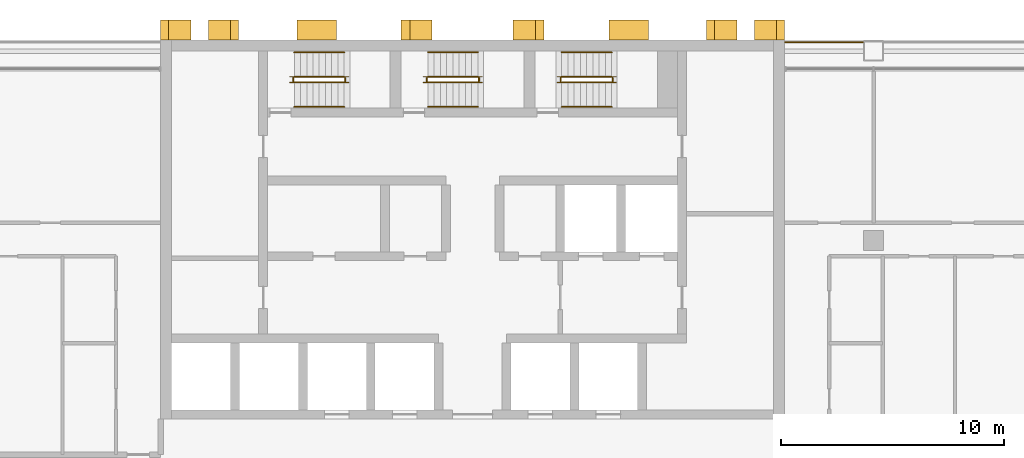
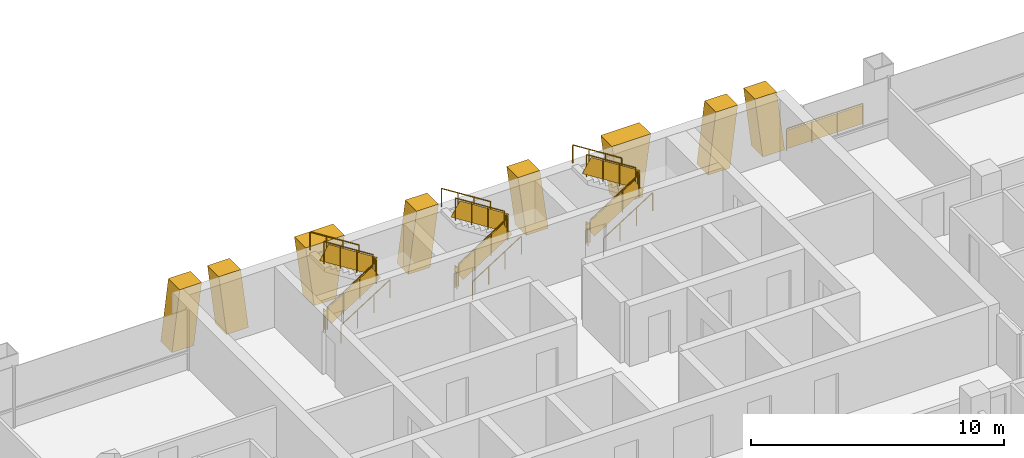
# One storey, part 16 of 17: 19 railings, 8 shading devices.
"""IFC4 building model written with IfcOpenShell, lengths in metres."""

from ifc_helpers import new_model, si_unit, direction, frame, origin, origin_2d, place, context, subcontext, project, spatial, polyline, rectangle, circle, outline, extrude, material, layer, layer_set, type_object, element, save


model = new_model("IFC4")

# Units and contexts
model_context = context("Model", 3, precision=1e-05, world=origin(), true_north=direction((0.0, 1.0)))
body_context = subcontext(model_context, "Body", "Model", "MODEL_VIEW")
ifc_project = project(units=[si_unit("LENGTHUNIT", "METRE"), si_unit("AREAUNIT", "SQUARE_METRE"), si_unit("VOLUMEUNIT", "CUBIC_METRE"), si_unit("PLANEANGLEUNIT", "RADIAN"), si_unit("MASSUNIT", "GRAM", prefix="KILO")], contexts=[model_context])

# Site, building, storey
site_placement = place(None, origin())
site = spatial("IfcSite", under=ifc_project, at=site_placement, CompositionType="ELEMENT")
building_placement = place(site_placement, origin())
building = spatial("IfcBuilding", under=site, at=building_placement, Name="Vidyagriha Tower", CompositionType="ELEMENT")
storey_placement = place(building_placement, frame((0.0, 0.0, 77.5)))
storey = spatial("IfcBuildingStorey", under=building, at=storey_placement, Name="L19", CompositionType="ELEMENT", Elevation=77.5)

# Shading devices
ifc_material_1 = material(Name="Precast concrete C40/50 with brick facing", Category="concrete")
ifc_layer_1 = layer(ifc_material_1, 1.0)
ifc_layer_set_1 = layer_set([ifc_layer_1], Name="Precast concrete C40/50 with brick facing")
shading_device_type_1 = type_object("IfcShadingDeviceType", Name="Brick-faced rear rib arm leaning 8 degrees", PredefinedType="USERDEFINED", material=ifc_layer_set_1)
shading_device_1_placement = place(storey_placement, frame((14.0, 20.449951171875, 0.0), z_axis=(0.0, 0.0, 1.0), x_axis=(-1.0, 0.0, 0.0)))
element("IfcShadingDevice", 1, at=shading_device_1_placement, inside=storey, type_object=shading_device_type_1, Name="Rear rib arm L19 R08.1a", ObjectType="BLADE FIN", PredefinedType="USERDEFINED", context=body_context, shape_type="SweptSolid", body=[
    extrude(outline(polyline([(0.0, 0.0), (1.0, 0.0), (1.357177734375, 2.919921875), (0.357177734375, 2.919921875), (0.0, 0.0)])), frame((0.0, 0.449951171875, 0.0), z_axis=(0.0, -1.0, 0.0), x_axis=(1.0, 0.0, 0.0)), (0.0, 0.0, 1.0), 0.89990234375),
])
shading_device_2_placement = place(storey_placement, frame((11.857177734375, 20.449951171875, 0.0), z_axis=(0.0, 0.0, 1.0), x_axis=(-1.0, 0.0, 0.0)))
element("IfcShadingDevice", 2, at=shading_device_2_placement, inside=storey, type_object=shading_device_type_1, Name="Rear rib arm L19 R08.1b", ObjectType="BLADE FIN", PredefinedType="USERDEFINED", context=body_context, shape_type="SweptSolid", body=[
    extrude(outline(polyline([(0.357177734375, 0.0), (1.357177734375, 0.0), (1.0, 2.919921875), (0.0, 2.919921875), (0.357177734375, 0.0)])), frame((0.0, 0.449951171875, 0.0), z_axis=(0.0, -1.0, 0.0), x_axis=(1.0, 0.0, 0.0)), (0.0, 0.0, 1.0), 0.89990234375),
])
shading_device_3_placement = place(storey_placement, frame((3.199951171875, 20.449951171875, 0.0), z_axis=(0.0, 0.0, 1.0), x_axis=(-1.0, 0.0, 0.0)))
element("IfcShadingDevice", 3, at=shading_device_3_placement, inside=storey, type_object=shading_device_type_1, Name="Rear rib arm L19 R08.3a", ObjectType="BLADE FIN", PredefinedType="USERDEFINED", context=body_context, shape_type="SweptSolid", body=[
    extrude(outline(polyline([(0.0, 0.0), (1.0, 0.0), (1.3857421875, 2.919921875), (0.3857421875, 2.919921875), (0.0, 0.0)])), frame((0.0, 0.449951171875, 0.0), z_axis=(0.0, -1.0, 0.0), x_axis=(1.0, 0.0, 0.0)), (0.0, 0.0, 1.0), 0.89990234375),
])
shading_device_4_placement = place(storey_placement, frame((-1.814208984375, 20.449951171875, 0.0), z_axis=(0.0, 0.0, 1.0), x_axis=(-1.0, 0.0, 0.0)))
element("IfcShadingDevice", 4, at=shading_device_4_placement, inside=storey, type_object=shading_device_type_1, Name="Rear rib arm L19 R08.3b", ObjectType="BLADE FIN", PredefinedType="USERDEFINED", context=body_context, shape_type="SweptSolid", body=[
    extrude(outline(polyline([(0.3857421875, 0.0), (1.3857421875, 0.0), (1.0, 2.919921875), (0.0, 2.919921875), (0.3857421875, 0.0)])), frame((0.0, 0.449951171875, 0.0), z_axis=(0.0, -1.0, 0.0), x_axis=(1.0, 0.0, 0.0)), (0.0, 0.0, 1.0), 0.89990234375),
])
shading_device_5_placement = place(storey_placement, frame((-10.5, 20.449951171875, 0.0), z_axis=(0.0, 0.0, 1.0), x_axis=(-1.0, 0.0, 0.0)))
element("IfcShadingDevice", 5, at=shading_device_5_placement, inside=storey, type_object=shading_device_type_1, Name="Rear rib arm L19 R08.5a", ObjectType="BLADE FIN", PredefinedType="USERDEFINED", context=body_context, shape_type="SweptSolid", body=[
    extrude(outline(polyline([(0.0, 0.0), (1.0, 0.0), (1.357177734375, 2.919921875), (0.357177734375, 2.919921875), (0.0, 0.0)])), frame((0.0, 0.449951171875, 0.0), z_axis=(0.0, -1.0, 0.0), x_axis=(1.0, 0.0, 0.0)), (0.0, 0.0, 1.0), 0.89990234375),
])
shading_device_6_placement = place(storey_placement, frame((-12.642822265625, 20.449951171875, 0.0), z_axis=(0.0, 0.0, 1.0), x_axis=(-1.0, 0.0, 0.0)))
element("IfcShadingDevice", 6, at=shading_device_6_placement, inside=storey, type_object=shading_device_type_1, Name="Rear rib arm L19 R08.5b", ObjectType="BLADE FIN", PredefinedType="USERDEFINED", context=body_context, shape_type="SweptSolid", body=[
    extrude(outline(polyline([(0.357177734375, 0.0), (1.357177734375, 0.0), (1.0, 2.919921875), (0.0, 2.919921875), (0.357177734375, 0.0)])), frame((0.0, 0.449951171875, 0.0), z_axis=(0.0, -1.0, 0.0), x_axis=(1.0, 0.0, 0.0)), (0.0, 0.0, 1.0), 0.89990234375),
])
ifc_material_2 = material(Name="Precast concrete C40/50 with brick facing", Category="concrete")
ifc_layer_2 = layer(ifc_material_2, 1.0)
ifc_layer_set_2 = layer_set([ifc_layer_2], Name="Precast concrete C40/50 with brick facing")
shading_device_type_2 = type_object("IfcShadingDeviceType", Name="Brick-faced rear rib forking 8 degrees", PredefinedType="USERDEFINED", material=ifc_layer_set_2)
for number, where, z_axis, x_axis, name in (
    (7, (7.8857421875, 20.449951171875, 0.0), (0.0, 0.0, 1.0), (-1.0, 0.0, 0.0), "Rear rib fork L19 R08.2a"),
    (8, (-6.1142578125, 20.449951171875, 0.0), (0.0, 0.0, 1.0), (-1.0, 0.0, 0.0), "Rear rib fork L19 R08.4a"),
):
    element("IfcShadingDevice", number, at=place(storey_placement, frame(where, z_axis=z_axis, x_axis=x_axis)), inside=storey, type_object=shading_device_type_2, Name=name, ObjectType="BLADE FIN", PredefinedType="USERDEFINED", context=body_context, shape_type="SweptSolid", body=[
        extrude(outline(polyline([(0.3857421875, 0.0), (1.3857421875, 0.0), (1.771484375, 2.919921875), (0.0, 2.919921875), (0.3857421875, 0.0)])), frame((0.0, 0.449951171875, 0.0), z_axis=(0.0, -1.0, 0.0), x_axis=(1.0, 0.0, 0.0)), (0.0, 0.0, 1.0), 0.89990234375),
    ])

# Railings
ifc_material_3 = material(Name="Steel ASTM A500 Grade C black painted", Category="steel")
railing_type_1 = type_object("IfcRailingType", Name="Gallery guard 1100", PredefinedType="GUARDRAIL", material=ifc_material_3)
railing_1_placement = place(storey_placement, frame((14.030029296875, 19.89990234375, 0.0)))
element("IfcRailing", 9, at=railing_1_placement, inside=storey, type_object=railing_type_1, Name="Gallery guard L19 9", PredefinedType="GUARDRAIL", context=body_context, shape_type="SweptSolid", body=[
    extrude(circle(Radius=0.02490234375, at=origin_2d()), frame((0.0, 0.0, 1.0751953125), z_axis=(1.0, 0.0, 0.0), x_axis=(0.0, 1.0, 0.0)), (0.0, 0.0, 1.0), 3.489990234375),
    extrude(circle(Radius=0.02001953125, at=origin_2d()), origin(), (0.0, 0.0, 1.0), 1.050048828125),
    extrude(circle(Radius=0.02001953125, at=origin_2d()), frame((1.163330078125, 0.0, 0.0)), (0.0, 0.0, 1.0), 1.050048828125),
    extrude(circle(Radius=0.02001953125, at=origin_2d()), frame((2.32666015625, 0.0, 0.0)), (0.0, 0.0, 1.0), 1.050048828125),
    extrude(circle(Radius=0.02001953125, at=origin_2d()), frame((3.489990234375, 0.0, 0.0)), (0.0, 0.0, 1.0), 1.050048828125),
    extrude(rectangle(XDim=0.010009765625, YDim=0.900146484375, at=origin_2d()), frame((0.0, 0.0, 0.550048828125), z_axis=(1.0, 0.0, 0.0), x_axis=(0.0, 1.0, 0.0)), (0.0, 0.0, 1.0), 3.489990234375),
])
ifc_material_4 = material(Name="Steel ASTM A500 Grade C", Category="steel")
railing_type_2 = type_object("IfcRailingType", Name="Stair guard 1100 mm, steel balustrade", PredefinedType="GUARDRAIL", material=ifc_material_4)
railing_2_placement = place(storey_placement, frame((-8.0, 18.10009765625, 0.177734375)))
element("IfcRailing", 10, at=railing_2_placement, inside=storey, type_object=railing_type_2, Name="L19 ST1 stair guard 1", PredefinedType="GUARDRAIL", context=body_context, shape_type="SweptSolid", body=[
    extrude(circle(Radius=0.02392578125, at=origin_2d()), frame((0.0, 0.0, 1.076171875), z_axis=(0.84418770128, 0.0, 0.536047689118), x_axis=(0.0, 1.0, 0.0)), (0.0, 0.0, 1.0), 2.6533203125),
    extrude(circle(Radius=0.02099609375, at=origin_2d()), origin(), (0.0, 0.0, 1.0), 1.052001953125),
    extrude(circle(Radius=0.02099609375, at=origin_2d()), frame((0.74658203125, 0.0, 0.47412109375)), (0.0, 0.0, 1.0), 1.052001953125),
    extrude(circle(Radius=0.02099609375, at=origin_2d()), frame((1.493408203125, 0.0, 0.9482421875)), (0.0, 0.0, 1.0), 1.052001953125),
    extrude(circle(Radius=0.02099609375, at=origin_2d()), frame((2.239990234375, 0.0, 1.42236328125)), (0.0, 0.0, 1.0), 1.052001953125),
    extrude(rectangle(XDim=0.010009765625, YDim=0.761474609375, at=origin_2d()), frame((0.0, 0.0, 0.551025390625), z_axis=(0.84418770128, 0.0, 0.536047689118), x_axis=(0.0, 1.0, 0.0)), (0.0, 0.0, 1.0), 2.6533203125),
])
railing_3_placement = place(storey_placement, frame((-5.7099609375, 18.14990234375, 1.60009765625)))
element("IfcRailing", 11, at=railing_3_placement, inside=storey, type_object=railing_type_2, Name="L19 ST1 stair guard 2", PredefinedType="GUARDRAIL", context=body_context, shape_type="SweptSolid", body=[
    extrude(circle(Radius=0.02392578125, at=origin_2d()), frame((0.0, 0.0, 1.076171875), z_axis=(0.0, 1.0, 0.0), x_axis=(-1.0, 0.0, 0.0)), (0.0, 0.0, 1.0), 0.150146484375),
    extrude(circle(Radius=0.02099609375, at=origin_2d()), origin(), (0.0, 0.0, 1.0), 1.052001953125),
    extrude(circle(Radius=0.02099609375, at=origin_2d()), frame((0.0, 0.150146484375, 0.0)), (0.0, 0.0, 1.0), 1.052001953125),
    extrude(rectangle(XDim=0.010009765625, YDim=0.902099609375, at=origin_2d()), frame((0.0, 0.0, 0.551025390625), z_axis=(0.0, 1.0, 0.0), x_axis=(-1.0, 0.0, 0.0)), (0.0, 0.0, 1.0), 0.150146484375),
])
railing_4_placement = place(storey_placement, frame((-5.760009765625, 18.35009765625, 1.77783203125)))
element("IfcRailing", 12, at=railing_4_placement, inside=storey, type_object=railing_type_2, Name="L19 ST1 stair guard 3", PredefinedType="GUARDRAIL", context=body_context, shape_type="SweptSolid", body=[
    extrude(circle(Radius=0.02392578125, at=origin_2d()), frame((0.0, 0.0, 1.076171875), z_axis=(-0.8442293374, 0.0, 0.53598211339), x_axis=(0.0, -1.0, 0.0)), (0.0, 0.0, 1.0), 2.6533203125),
    extrude(circle(Radius=0.02099609375, at=origin_2d()), origin(), (0.0, 0.0, 1.0), 1.052001953125),
    extrude(circle(Radius=0.02099609375, at=origin_2d()), frame((-0.74658203125, 0.0, 0.47412109375)), (0.0, 0.0, 1.0), 1.052001953125),
    extrude(circle(Radius=0.02099609375, at=origin_2d()), frame((-1.493408203125, 0.0, 0.947998046875)), (0.0, 0.0, 1.0), 1.052001953125),
    extrude(circle(Radius=0.02099609375, at=origin_2d()), frame((-2.239990234375, 0.0, 1.422119140625)), (0.0, 0.0, 1.0), 1.052001953125),
    extrude(rectangle(XDim=0.010009765625, YDim=0.761474609375, at=origin_2d()), frame((0.0, 0.0, 0.551025390625), z_axis=(-0.8442293374, 0.0, 0.53598211339), x_axis=(0.0, -1.0, 0.0)), (0.0, 0.0, 1.0), 2.6533203125),
])
railing_5_placement = place(storey_placement, frame((-8.050048828125, 18.14990234375, 0.0)))
element("IfcRailing", 13, at=railing_5_placement, inside=storey, type_object=railing_type_2, Name="L19 ST1 stair guard 4", PredefinedType="GUARDRAIL", context=body_context, shape_type="SweptSolid", body=[
    extrude(circle(Radius=0.02392578125, at=origin_2d()), frame((0.0, 0.0, 1.076171875), z_axis=(0.0, 1.0, 0.0), x_axis=(-1.0, 0.0, 0.0)), (0.0, 0.0, 1.0), 0.150146484375),
    extrude(circle(Radius=0.02099609375, at=origin_2d()), origin(), (0.0, 0.0, 1.0), 1.052001953125),
    extrude(circle(Radius=0.02099609375, at=origin_2d()), frame((0.0, 0.150146484375, 0.0)), (0.0, 0.0, 1.0), 1.052001953125),
    extrude(rectangle(XDim=0.010009765625, YDim=0.902099609375, at=origin_2d()), frame((0.0, 0.0, 0.551025390625), z_axis=(0.0, 1.0, 0.0), x_axis=(-1.0, 0.0, 0.0)), (0.0, 0.0, 1.0), 0.150146484375),
])
railing_6_placement = place(storey_placement, frame((-2.0, 18.10009765625, 0.177734375)))
element("IfcRailing", 14, at=railing_6_placement, inside=storey, type_object=railing_type_2, Name="L19 ST2 stair guard 1", PredefinedType="GUARDRAIL", context=body_context, shape_type="SweptSolid", body=[
    extrude(circle(Radius=0.02392578125, at=origin_2d()), frame((0.0, 0.0, 1.076171875), z_axis=(0.84418770128, 0.0, 0.536047689118), x_axis=(0.0, 1.0, 0.0)), (0.0, 0.0, 1.0), 2.6533203125),
    extrude(circle(Radius=0.02099609375, at=origin_2d()), origin(), (0.0, 0.0, 1.0), 1.052001953125),
    extrude(circle(Radius=0.02099609375, at=origin_2d()), frame((0.74658203125, 0.0, 0.47412109375)), (0.0, 0.0, 1.0), 1.052001953125),
    extrude(circle(Radius=0.02099609375, at=origin_2d()), frame((1.493408203125, 0.0, 0.9482421875)), (0.0, 0.0, 1.0), 1.052001953125),
    extrude(circle(Radius=0.02099609375, at=origin_2d()), frame((2.239990234375, 0.0, 1.42236328125)), (0.0, 0.0, 1.0), 1.052001953125),
    extrude(rectangle(XDim=0.010009765625, YDim=0.761474609375, at=origin_2d()), frame((0.0, 0.0, 0.551025390625), z_axis=(0.84418770128, 0.0, 0.536047689118), x_axis=(0.0, 1.0, 0.0)), (0.0, 0.0, 1.0), 2.6533203125),
])
railing_7_placement = place(storey_placement, frame((0.2900390625, 18.14990234375, 1.60009765625)))
element("IfcRailing", 15, at=railing_7_placement, inside=storey, type_object=railing_type_2, Name="L19 ST2 stair guard 2", PredefinedType="GUARDRAIL", context=body_context, shape_type="SweptSolid", body=[
    extrude(circle(Radius=0.02392578125, at=origin_2d()), frame((0.0, 0.0, 1.076171875), z_axis=(0.0, 1.0, 0.0), x_axis=(-1.0, 0.0, 0.0)), (0.0, 0.0, 1.0), 0.150146484375),
    extrude(circle(Radius=0.02099609375, at=origin_2d()), origin(), (0.0, 0.0, 1.0), 1.052001953125),
    extrude(circle(Radius=0.02099609375, at=origin_2d()), frame((0.0, 0.150146484375, 0.0)), (0.0, 0.0, 1.0), 1.052001953125),
    extrude(rectangle(XDim=0.010009765625, YDim=0.902099609375, at=origin_2d()), frame((0.0, 0.0, 0.551025390625), z_axis=(0.0, 1.0, 0.0), x_axis=(-1.0, 0.0, 0.0)), (0.0, 0.0, 1.0), 0.150146484375),
])
railing_8_placement = place(storey_placement, frame((0.239990234375, 18.35009765625, 1.77783203125)))
element("IfcRailing", 16, at=railing_8_placement, inside=storey, type_object=railing_type_2, Name="L19 ST2 stair guard 3", PredefinedType="GUARDRAIL", context=body_context, shape_type="SweptSolid", body=[
    extrude(circle(Radius=0.02392578125, at=origin_2d()), frame((0.0, 0.0, 1.076171875), z_axis=(-0.8442293374, 0.0, 0.53598211339), x_axis=(0.0, -1.0, 0.0)), (0.0, 0.0, 1.0), 2.6533203125),
    extrude(circle(Radius=0.02099609375, at=origin_2d()), origin(), (0.0, 0.0, 1.0), 1.052001953125),
    extrude(circle(Radius=0.02099609375, at=origin_2d()), frame((-0.74658203125, 0.0, 0.47412109375)), (0.0, 0.0, 1.0), 1.052001953125),
    extrude(circle(Radius=0.02099609375, at=origin_2d()), frame((-1.493408203125, 0.0, 0.947998046875)), (0.0, 0.0, 1.0), 1.052001953125),
    extrude(circle(Radius=0.02099609375, at=origin_2d()), frame((-2.239990234375, 0.0, 1.422119140625)), (0.0, 0.0, 1.0), 1.052001953125),
    extrude(rectangle(XDim=0.010009765625, YDim=0.761474609375, at=origin_2d()), frame((0.0, 0.0, 0.551025390625), z_axis=(-0.8442293374, 0.0, 0.53598211339), x_axis=(0.0, -1.0, 0.0)), (0.0, 0.0, 1.0), 2.6533203125),
])
railing_9_placement = place(storey_placement, frame((-2.050048828125, 18.14990234375, 0.0)))
element("IfcRailing", 17, at=railing_9_placement, inside=storey, type_object=railing_type_2, Name="L19 ST2 stair guard 4", PredefinedType="GUARDRAIL", context=body_context, shape_type="SweptSolid", body=[
    extrude(circle(Radius=0.02392578125, at=origin_2d()), frame((0.0, 0.0, 1.076171875), z_axis=(0.0, 1.0, 0.0), x_axis=(-1.0, 0.0, 0.0)), (0.0, 0.0, 1.0), 0.150146484375),
    extrude(circle(Radius=0.02099609375, at=origin_2d()), origin(), (0.0, 0.0, 1.0), 1.052001953125),
    extrude(circle(Radius=0.02099609375, at=origin_2d()), frame((0.0, 0.150146484375, 0.0)), (0.0, 0.0, 1.0), 1.052001953125),
    extrude(rectangle(XDim=0.010009765625, YDim=0.902099609375, at=origin_2d()), frame((0.0, 0.0, 0.551025390625), z_axis=(0.0, 1.0, 0.0), x_axis=(-1.0, 0.0, 0.0)), (0.0, 0.0, 1.0), 0.150146484375),
])
railing_10_placement = place(storey_placement, frame((4.0, 18.10009765625, 0.177734375)))
element("IfcRailing", 18, at=railing_10_placement, inside=storey, type_object=railing_type_2, Name="L19 ST3 stair guard 1", PredefinedType="GUARDRAIL", context=body_context, shape_type="SweptSolid", body=[
    extrude(circle(Radius=0.02392578125, at=origin_2d()), frame((0.0, 0.0, 1.076171875), z_axis=(0.84418770128, 0.0, 0.536047689118), x_axis=(0.0, 1.0, 0.0)), (0.0, 0.0, 1.0), 2.6533203125),
    extrude(circle(Radius=0.02099609375, at=origin_2d()), origin(), (0.0, 0.0, 1.0), 1.052001953125),
    extrude(circle(Radius=0.02099609375, at=origin_2d()), frame((0.74658203125, 0.0, 0.47412109375)), (0.0, 0.0, 1.0), 1.052001953125),
    extrude(circle(Radius=0.02099609375, at=origin_2d()), frame((1.493408203125, 0.0, 0.9482421875)), (0.0, 0.0, 1.0), 1.052001953125),
    extrude(circle(Radius=0.02099609375, at=origin_2d()), frame((2.239990234375, 0.0, 1.42236328125)), (0.0, 0.0, 1.0), 1.052001953125),
    extrude(rectangle(XDim=0.010009765625, YDim=0.761474609375, at=origin_2d()), frame((0.0, 0.0, 0.551025390625), z_axis=(0.84418770128, 0.0, 0.536047689118), x_axis=(0.0, 1.0, 0.0)), (0.0, 0.0, 1.0), 2.6533203125),
])
railing_11_placement = place(storey_placement, frame((6.2900390625, 18.14990234375, 1.60009765625)))
element("IfcRailing", 19, at=railing_11_placement, inside=storey, type_object=railing_type_2, Name="L19 ST3 stair guard 2", PredefinedType="GUARDRAIL", context=body_context, shape_type="SweptSolid", body=[
    extrude(circle(Radius=0.02392578125, at=origin_2d()), frame((0.0, 0.0, 1.076171875), z_axis=(0.0, 1.0, 0.0), x_axis=(-1.0, 0.0, 0.0)), (0.0, 0.0, 1.0), 0.150146484375),
    extrude(circle(Radius=0.02099609375, at=origin_2d()), origin(), (0.0, 0.0, 1.0), 1.052001953125),
    extrude(circle(Radius=0.02099609375, at=origin_2d()), frame((0.0, 0.150146484375, 0.0)), (0.0, 0.0, 1.0), 1.052001953125),
    extrude(rectangle(XDim=0.010009765625, YDim=0.902099609375, at=origin_2d()), frame((0.0, 0.0, 0.551025390625), z_axis=(0.0, 1.0, 0.0), x_axis=(-1.0, 0.0, 0.0)), (0.0, 0.0, 1.0), 0.150146484375),
])
railing_12_placement = place(storey_placement, frame((6.239990234375, 18.35009765625, 1.77783203125)))
element("IfcRailing", 20, at=railing_12_placement, inside=storey, type_object=railing_type_2, Name="L19 ST3 stair guard 3", PredefinedType="GUARDRAIL", context=body_context, shape_type="SweptSolid", body=[
    extrude(circle(Radius=0.02392578125, at=origin_2d()), frame((0.0, 0.0, 1.076171875), z_axis=(-0.8442293374, 0.0, 0.53598211339), x_axis=(0.0, -1.0, 0.0)), (0.0, 0.0, 1.0), 2.6533203125),
    extrude(circle(Radius=0.02099609375, at=origin_2d()), origin(), (0.0, 0.0, 1.0), 1.052001953125),
    extrude(circle(Radius=0.02099609375, at=origin_2d()), frame((-0.74658203125, 0.0, 0.47412109375)), (0.0, 0.0, 1.0), 1.052001953125),
    extrude(circle(Radius=0.02099609375, at=origin_2d()), frame((-1.493408203125, 0.0, 0.947998046875)), (0.0, 0.0, 1.0), 1.052001953125),
    extrude(circle(Radius=0.02099609375, at=origin_2d()), frame((-2.239990234375, 0.0, 1.422119140625)), (0.0, 0.0, 1.0), 1.052001953125),
    extrude(rectangle(XDim=0.010009765625, YDim=0.761474609375, at=origin_2d()), frame((0.0, 0.0, 0.551025390625), z_axis=(-0.8442293374, 0.0, 0.53598211339), x_axis=(0.0, -1.0, 0.0)), (0.0, 0.0, 1.0), 2.6533203125),
])
railing_13_placement = place(storey_placement, frame((3.949951171875, 18.14990234375, 0.0)))
element("IfcRailing", 21, at=railing_13_placement, inside=storey, type_object=railing_type_2, Name="L19 ST3 stair guard 4", PredefinedType="GUARDRAIL", context=body_context, shape_type="SweptSolid", body=[
    extrude(circle(Radius=0.02392578125, at=origin_2d()), frame((0.0, 0.0, 1.076171875), z_axis=(0.0, 1.0, 0.0), x_axis=(-1.0, 0.0, 0.0)), (0.0, 0.0, 1.0), 0.150146484375),
    extrude(circle(Radius=0.02099609375, at=origin_2d()), origin(), (0.0, 0.0, 1.0), 1.052001953125),
    extrude(circle(Radius=0.02099609375, at=origin_2d()), frame((0.0, 0.150146484375, 0.0)), (0.0, 0.0, 1.0), 1.052001953125),
    extrude(rectangle(XDim=0.010009765625, YDim=0.902099609375, at=origin_2d()), frame((0.0, 0.0, 0.551025390625), z_axis=(0.0, 1.0, 0.0), x_axis=(-1.0, 0.0, 0.0)), (0.0, 0.0, 1.0), 0.150146484375),
])
ifc_material_5 = material(Name="Steel ASTM A500 Grade C", Category="steel")
railing_type_3 = type_object("IfcRailingType", Name="Stair handrail 900 mm, steel", PredefinedType="HANDRAIL", material=ifc_material_5)
railing_14_placement = place(storey_placement, frame((-8.0, 17.0, 0.177734375)))
element("IfcRailing", 22, at=railing_14_placement, inside=storey, type_object=railing_type_3, Name="L19 ST1 stair handrail 1", PredefinedType="HANDRAIL", context=body_context, shape_type="SweptSolid", body=[
    extrude(circle(Radius=0.02392578125, at=origin_2d()), frame((0.0, 0.0, 0.8759765625), z_axis=(0.84418770128, 0.0, 0.536047689118), x_axis=(0.0, 1.0, 0.0)), (0.0, 0.0, 1.0), 2.6533203125),
    extrude(circle(Radius=0.02099609375, at=origin_2d()), origin(), (0.0, 0.0, 1.0), 0.851806640625),
    extrude(circle(Radius=0.02099609375, at=origin_2d()), frame((0.74658203125, 0.0, 0.47412109375)), (0.0, 0.0, 1.0), 0.851806640625),
    extrude(circle(Radius=0.02099609375, at=origin_2d()), frame((1.493408203125, 0.0, 0.9482421875)), (0.0, 0.0, 1.0), 0.851806640625),
    extrude(circle(Radius=0.02099609375, at=origin_2d()), frame((2.239990234375, 0.0, 1.42236328125)), (0.0, 0.0, 1.0), 0.851806640625),
])
railing_15_placement = place(storey_placement, frame((-5.760009765625, 19.449951171875, 1.77783203125)))
element("IfcRailing", 23, at=railing_15_placement, inside=storey, type_object=railing_type_3, Name="L19 ST1 stair handrail 2", PredefinedType="HANDRAIL", context=body_context, shape_type="SweptSolid", body=[
    extrude(circle(Radius=0.02392578125, at=origin_2d()), frame((0.0, 0.0, 0.8759765625), z_axis=(-0.8442293374, 0.0, 0.53598211339), x_axis=(0.0, -1.0, 0.0)), (0.0, 0.0, 1.0), 2.6533203125),
    extrude(circle(Radius=0.02099609375, at=origin_2d()), origin(), (0.0, 0.0, 1.0), 0.851806640625),
    extrude(circle(Radius=0.02099609375, at=origin_2d()), frame((-0.74658203125, 0.0, 0.47412109375)), (0.0, 0.0, 1.0), 0.851806640625),
    extrude(circle(Radius=0.02099609375, at=origin_2d()), frame((-1.493408203125, 0.0, 0.947998046875)), (0.0, 0.0, 1.0), 0.851806640625),
    extrude(circle(Radius=0.02099609375, at=origin_2d()), frame((-2.239990234375, 0.0, 1.422119140625)), (0.0, 0.0, 1.0), 0.851806640625),
])
railing_16_placement = place(storey_placement, frame((-2.0, 17.0, 0.177734375)))
element("IfcRailing", 24, at=railing_16_placement, inside=storey, type_object=railing_type_3, Name="L19 ST2 stair handrail 1", PredefinedType="HANDRAIL", context=body_context, shape_type="SweptSolid", body=[
    extrude(circle(Radius=0.02392578125, at=origin_2d()), frame((0.0, 0.0, 0.8759765625), z_axis=(0.84418770128, 0.0, 0.536047689118), x_axis=(0.0, 1.0, 0.0)), (0.0, 0.0, 1.0), 2.6533203125),
    extrude(circle(Radius=0.02099609375, at=origin_2d()), origin(), (0.0, 0.0, 1.0), 0.851806640625),
    extrude(circle(Radius=0.02099609375, at=origin_2d()), frame((0.74658203125, 0.0, 0.47412109375)), (0.0, 0.0, 1.0), 0.851806640625),
    extrude(circle(Radius=0.02099609375, at=origin_2d()), frame((1.493408203125, 0.0, 0.9482421875)), (0.0, 0.0, 1.0), 0.851806640625),
    extrude(circle(Radius=0.02099609375, at=origin_2d()), frame((2.239990234375, 0.0, 1.42236328125)), (0.0, 0.0, 1.0), 0.851806640625),
])
railing_17_placement = place(storey_placement, frame((0.239990234375, 19.449951171875, 1.77783203125)))
element("IfcRailing", 25, at=railing_17_placement, inside=storey, type_object=railing_type_3, Name="L19 ST2 stair handrail 2", PredefinedType="HANDRAIL", context=body_context, shape_type="SweptSolid", body=[
    extrude(circle(Radius=0.02392578125, at=origin_2d()), frame((0.0, 0.0, 0.8759765625), z_axis=(-0.8442293374, 0.0, 0.53598211339), x_axis=(0.0, -1.0, 0.0)), (0.0, 0.0, 1.0), 2.6533203125),
    extrude(circle(Radius=0.02099609375, at=origin_2d()), origin(), (0.0, 0.0, 1.0), 0.851806640625),
    extrude(circle(Radius=0.02099609375, at=origin_2d()), frame((-0.74658203125, 0.0, 0.47412109375)), (0.0, 0.0, 1.0), 0.851806640625),
    extrude(circle(Radius=0.02099609375, at=origin_2d()), frame((-1.493408203125, 0.0, 0.947998046875)), (0.0, 0.0, 1.0), 0.851806640625),
    extrude(circle(Radius=0.02099609375, at=origin_2d()), frame((-2.239990234375, 0.0, 1.422119140625)), (0.0, 0.0, 1.0), 0.851806640625),
])
railing_18_placement = place(storey_placement, frame((4.0, 17.0, 0.177734375)))
element("IfcRailing", 26, at=railing_18_placement, inside=storey, type_object=railing_type_3, Name="L19 ST3 stair handrail 1", PredefinedType="HANDRAIL", context=body_context, shape_type="SweptSolid", body=[
    extrude(circle(Radius=0.02392578125, at=origin_2d()), frame((0.0, 0.0, 0.8759765625), z_axis=(0.84418770128, 0.0, 0.536047689118), x_axis=(0.0, 1.0, 0.0)), (0.0, 0.0, 1.0), 2.6533203125),
    extrude(circle(Radius=0.02099609375, at=origin_2d()), origin(), (0.0, 0.0, 1.0), 0.851806640625),
    extrude(circle(Radius=0.02099609375, at=origin_2d()), frame((0.74658203125, 0.0, 0.47412109375)), (0.0, 0.0, 1.0), 0.851806640625),
    extrude(circle(Radius=0.02099609375, at=origin_2d()), frame((1.493408203125, 0.0, 0.9482421875)), (0.0, 0.0, 1.0), 0.851806640625),
    extrude(circle(Radius=0.02099609375, at=origin_2d()), frame((2.239990234375, 0.0, 1.42236328125)), (0.0, 0.0, 1.0), 0.851806640625),
])
railing_19_placement = place(storey_placement, frame((6.239990234375, 19.449951171875, 1.77783203125)))
element("IfcRailing", 27, at=railing_19_placement, inside=storey, type_object=railing_type_3, Name="L19 ST3 stair handrail 2", PredefinedType="HANDRAIL", context=body_context, shape_type="SweptSolid", body=[
    extrude(circle(Radius=0.02392578125, at=origin_2d()), frame((0.0, 0.0, 0.8759765625), z_axis=(-0.8442293374, 0.0, 0.53598211339), x_axis=(0.0, -1.0, 0.0)), (0.0, 0.0, 1.0), 2.6533203125),
    extrude(circle(Radius=0.02099609375, at=origin_2d()), origin(), (0.0, 0.0, 1.0), 0.851806640625),
    extrude(circle(Radius=0.02099609375, at=origin_2d()), frame((-0.74658203125, 0.0, 0.47412109375)), (0.0, 0.0, 1.0), 0.851806640625),
    extrude(circle(Radius=0.02099609375, at=origin_2d()), frame((-1.493408203125, 0.0, 0.947998046875)), (0.0, 0.0, 1.0), 0.851806640625),
    extrude(circle(Radius=0.02099609375, at=origin_2d()), frame((-2.239990234375, 0.0, 1.422119140625)), (0.0, 0.0, 1.0), 0.851806640625),
])

save(model, "model.ifc")
